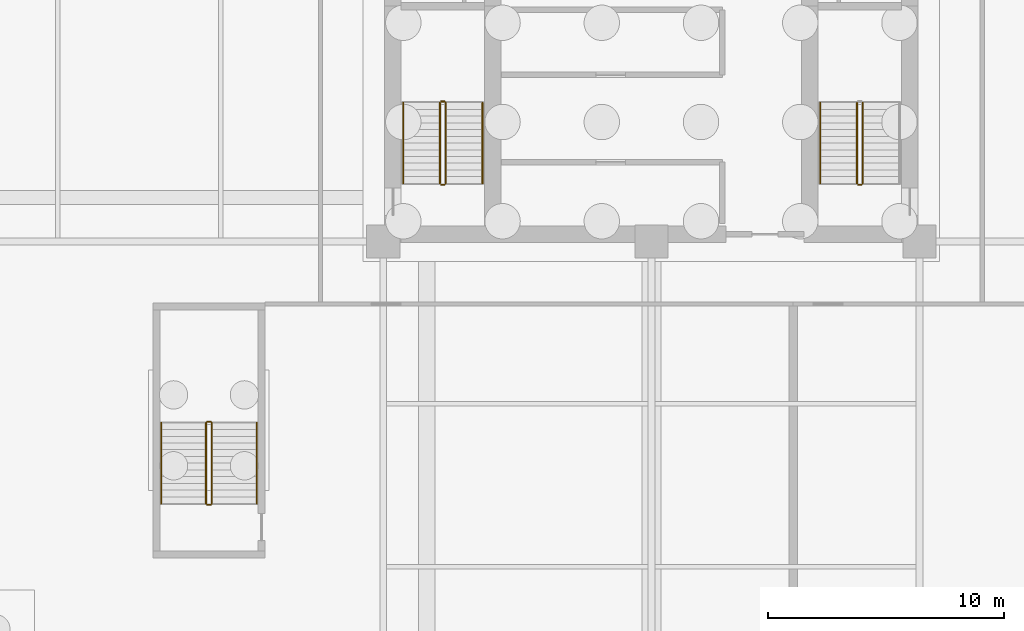
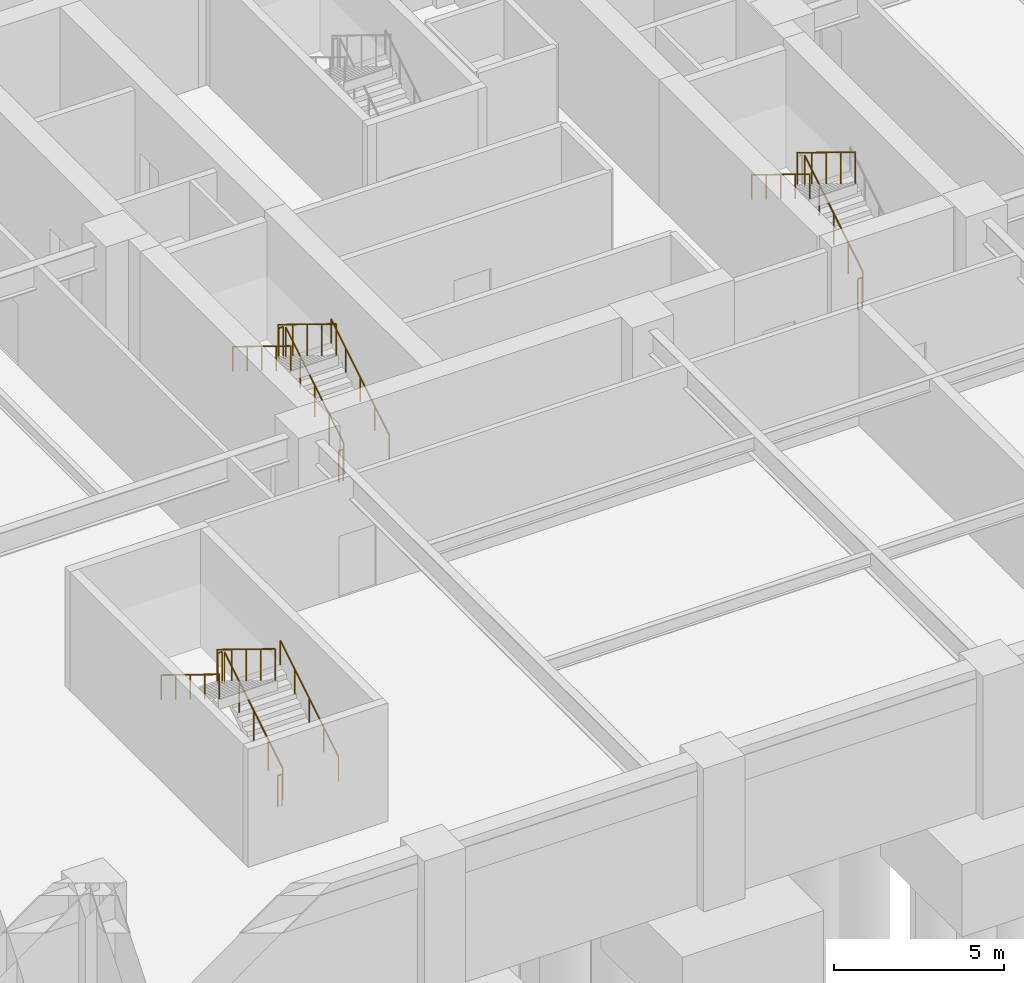
# One storey, part 6 of 8: 16 railings.
"""IFC4 building model written with IfcOpenShell, lengths in metres."""

from ifc_helpers import new_model, si_unit, direction, frame, origin, origin_2d, place, context, subcontext, project, spatial, circle, extrude, material, type_object, element, save


model = new_model("IFC4")

# Units and contexts
model_context = context("Model", 3, precision=1e-05, world=origin(), true_north=direction((0.0, 1.0)))
body_context = subcontext(model_context, "Body", "Model", "MODEL_VIEW")
ifc_project = project(units=[si_unit("LENGTHUNIT", "METRE"), si_unit("AREAUNIT", "SQUARE_METRE"), si_unit("VOLUMEUNIT", "CUBIC_METRE"), si_unit("PLANEANGLEUNIT", "RADIAN"), si_unit("MASSUNIT", "GRAM", prefix="KILO")], contexts=[model_context])

# Site, building, storey
site_placement = place(None, origin())
site = spatial("IfcSite", under=ifc_project, at=site_placement, CompositionType="ELEMENT")
building_placement = place(site_placement, origin())
building = spatial("IfcBuilding", under=site, at=building_placement, Name="Nhamokura Convention Tower", CompositionType="ELEMENT")
storey_placement = place(building_placement, frame((0.0, 0.0, -9.10009765625)))
storey = spatial("IfcBuildingStorey", under=building, at=storey_placement, Name="B02", CompositionType="ELEMENT", Elevation=-9.10009765625)

# Railings
ifc_material_1 = material(Name="Anodised bronze stainless steel", Category="steel")
railing_type_1 = type_object("IfcRailingType", Name="StairWallHandrail_900", PredefinedType="HANDRAIL", material=ifc_material_1)
railing_1_placement = place(storey_placement, frame((24.85009765625, 23.10009765625, 0.175048828125)))
element("IfcRailing", 1, at=railing_1_placement, inside=storey, type_object=railing_type_1, Name="B02 ST-01 stair handrail 1", PredefinedType="HANDRAIL", context=body_context, shape_type="SweptSolid", body=[
    extrude(circle(Radius=0.02392578125, at=origin_2d()), frame((0.0, 0.0, 0.8759765625), z_axis=(0.0, 0.852155044755, 0.523289384279), x_axis=(-1.0, 0.0, 0.0)), (0.0, 0.0, 1.0), 4.01318359375),
    extrude(circle(Radius=0.02099609375, at=origin_2d()), origin(), (0.0, 0.0, 1.0), 0.851806640625),
    extrude(circle(Radius=0.02099609375, at=origin_2d()), frame((0.0, 0.85498046875, 0.52490234375)), (0.0, 0.0, 1.0), 0.851806640625),
    extrude(circle(Radius=0.02099609375, at=origin_2d()), frame((0.0, 1.7099609375, 1.050048828125)), (0.0, 0.0, 1.0), 0.851806640625),
    extrude(circle(Radius=0.02099609375, at=origin_2d()), frame((0.0, 2.56494140625, 1.5751953125)), (0.0, 0.0, 1.0), 0.851806640625),
    extrude(circle(Radius=0.02099609375, at=origin_2d()), frame((0.0, 3.419921875, 2.10009765625)), (0.0, 0.0, 1.0), 0.851806640625),
])
for number, where, name in (
    (2, (21.5, 26.52001953125, 2.4501953125), "B02 ST-01 stair handrail 2"),
    (3, (39.14990234375, 26.52001953125, 2.4501953125), "B02 ST-02 stair handrail 2"),
):
    element("IfcRailing", number, at=place(storey_placement, frame(where)), inside=storey, type_object=railing_type_1, Name=name, PredefinedType="HANDRAIL", context=body_context, shape_type="SweptSolid", body=[
        extrude(circle(Radius=0.02392578125, at=origin_2d()), frame((0.0, 0.0, 0.8759765625), z_axis=(0.0, -0.852182171552, 0.523245206847), x_axis=(1.0, 0.0, 0.0)), (0.0, 0.0, 1.0), 4.01318359375),
        extrude(circle(Radius=0.02099609375, at=origin_2d()), origin(), (0.0, 0.0, 1.0), 0.851806640625),
        extrude(circle(Radius=0.02099609375, at=origin_2d()), frame((0.0, -0.85498046875, 0.52490234375)), (0.0, 0.0, 1.0), 0.851806640625),
        extrude(circle(Radius=0.02099609375, at=origin_2d()), frame((0.0, -1.7099609375, 1.0498046875)), (0.0, 0.0, 1.0), 0.851806640625),
        extrude(circle(Radius=0.02099609375, at=origin_2d()), frame((0.0, -2.56494140625, 1.574951171875)), (0.0, 0.0, 1.0), 0.851806640625),
        extrude(circle(Radius=0.02099609375, at=origin_2d()), frame((0.0, -3.419921875, 2.099853515625)), (0.0, 0.0, 1.0), 0.851806640625),
    ])
railing_2_placement = place(storey_placement, frame((15.300048828125, 9.550048828125, 0.175048828125)))
element("IfcRailing", 4, at=railing_2_placement, inside=storey, type_object=railing_type_1, Name="B02 ST-04 stair handrail 1", PredefinedType="HANDRAIL", context=body_context, shape_type="SweptSolid", body=[
    extrude(circle(Radius=0.02392578125, at=origin_2d()), frame((0.0, 0.0, 0.8759765625), z_axis=(0.0, 0.852155044755, 0.523289384279), x_axis=(-1.0, 0.0, 0.0)), (0.0, 0.0, 1.0), 4.01318359375),
    extrude(circle(Radius=0.02099609375, at=origin_2d()), origin(), (0.0, 0.0, 1.0), 0.851806640625),
    extrude(circle(Radius=0.02099609375, at=origin_2d()), frame((0.0, 0.85498046875, 0.52490234375)), (0.0, 0.0, 1.0), 0.851806640625),
    extrude(circle(Radius=0.02099609375, at=origin_2d()), frame((0.0, 1.7099609375, 1.050048828125)), (0.0, 0.0, 1.0), 0.851806640625),
    extrude(circle(Radius=0.02099609375, at=origin_2d()), frame((0.0, 2.56494140625, 1.5751953125)), (0.0, 0.0, 1.0), 0.851806640625),
    extrude(circle(Radius=0.02099609375, at=origin_2d()), frame((0.0, 3.419921875, 2.10009765625)), (0.0, 0.0, 1.0), 0.851806640625),
])
railing_3_placement = place(storey_placement, frame((11.25, 12.969970703125, 2.4501953125)))
element("IfcRailing", 5, at=railing_3_placement, inside=storey, type_object=railing_type_1, Name="B02 ST-04 stair handrail 2", PredefinedType="HANDRAIL", context=body_context, shape_type="SweptSolid", body=[
    extrude(circle(Radius=0.02392578125, at=origin_2d()), frame((0.0, 0.0, 0.8759765625), z_axis=(0.0, -0.852182171552, 0.523245206847), x_axis=(1.0, 0.0, 0.0)), (0.0, 0.0, 1.0), 4.01318359375),
    extrude(circle(Radius=0.02099609375, at=origin_2d()), origin(), (0.0, 0.0, 1.0), 0.851806640625),
    extrude(circle(Radius=0.02099609375, at=origin_2d()), frame((0.0, -0.85498046875, 0.52490234375)), (0.0, 0.0, 1.0), 0.851806640625),
    extrude(circle(Radius=0.02099609375, at=origin_2d()), frame((0.0, -1.7099609375, 1.0498046875)), (0.0, 0.0, 1.0), 0.851806640625),
    extrude(circle(Radius=0.02099609375, at=origin_2d()), frame((0.0, -2.56494140625, 1.574951171875)), (0.0, 0.0, 1.0), 0.851806640625),
    extrude(circle(Radius=0.02099609375, at=origin_2d()), frame((0.0, -3.419921875, 2.099853515625)), (0.0, 0.0, 1.0), 0.851806640625),
])
ifc_material_2 = material(Name="Painted tubular steel", Category="steel")
railing_type_2 = type_object("IfcRailingType", Name="StairWellGuardrail_1150", PredefinedType="GUARDRAIL", material=ifc_material_2)
railing_4_placement = place(storey_placement, frame((23.300048828125, 23.10009765625, 0.175048828125)))
element("IfcRailing", 6, at=railing_4_placement, inside=storey, type_object=railing_type_2, Name="B02 ST-01 stair guard 1", PredefinedType="GUARDRAIL", context=body_context, shape_type="SweptSolid", body=[
    extrude(circle(Radius=0.02392578125, at=origin_2d()), frame((0.0, 0.0, 1.1259765625), z_axis=(0.0, 0.852155044755, 0.523289384279), x_axis=(-1.0, 0.0, 0.0)), (0.0, 0.0, 1.0), 4.01318359375),
    extrude(circle(Radius=0.02099609375, at=origin_2d()), origin(), (0.0, 0.0, 1.0), 1.101806640625),
    extrude(circle(Radius=0.02099609375, at=origin_2d()), frame((0.0, 0.85498046875, 0.52490234375)), (0.0, 0.0, 1.0), 1.101806640625),
    extrude(circle(Radius=0.02099609375, at=origin_2d()), frame((0.0, 1.7099609375, 1.050048828125)), (0.0, 0.0, 1.0), 1.101806640625),
    extrude(circle(Radius=0.02099609375, at=origin_2d()), frame((0.0, 2.56494140625, 1.5751953125)), (0.0, 0.0, 1.0), 1.101806640625),
    extrude(circle(Radius=0.02099609375, at=origin_2d()), frame((0.0, 3.419921875, 2.10009765625)), (0.0, 0.0, 1.0), 1.101806640625),
])
railing_5_placement = place(storey_placement, frame((23.25, 26.570068359375, 2.275146484375)))
element("IfcRailing", 7, at=railing_5_placement, inside=storey, type_object=railing_type_2, Name="B02 ST-01 stair guard 2", PredefinedType="GUARDRAIL", context=body_context, shape_type="SweptSolid", body=[
    extrude(circle(Radius=0.02392578125, at=origin_2d()), frame((0.0, 0.0, 1.1259765625), z_axis=(-1.0, 0.0, 0.0), x_axis=(0.0, -1.0, 0.0)), (0.0, 0.0, 1.0), 0.14990234375),
    extrude(circle(Radius=0.02099609375, at=origin_2d()), origin(), (0.0, 0.0, 1.0), 1.101806640625),
    extrude(circle(Radius=0.02099609375, at=origin_2d()), frame((-0.14990234375, 0.0, 0.0)), (0.0, 0.0, 1.0), 1.101806640625),
])
railing_6_placement = place(storey_placement, frame((23.050048828125, 26.52001953125, 2.4501953125)))
element("IfcRailing", 8, at=railing_6_placement, inside=storey, type_object=railing_type_2, Name="B02 ST-01 stair guard 3", PredefinedType="GUARDRAIL", context=body_context, shape_type="SweptSolid", body=[
    extrude(circle(Radius=0.02392578125, at=origin_2d()), frame((0.0, 0.0, 1.1259765625), z_axis=(0.0, -0.852182171552, 0.523245206847), x_axis=(1.0, 0.0, 0.0)), (0.0, 0.0, 1.0), 4.01318359375),
    extrude(circle(Radius=0.02099609375, at=origin_2d()), origin(), (0.0, 0.0, 1.0), 1.101806640625),
    extrude(circle(Radius=0.02099609375, at=origin_2d()), frame((0.0, -0.85498046875, 0.52490234375)), (0.0, 0.0, 1.0), 1.101806640625),
    extrude(circle(Radius=0.02099609375, at=origin_2d()), frame((0.0, -1.7099609375, 1.0498046875)), (0.0, 0.0, 1.0), 1.101806640625),
    extrude(circle(Radius=0.02099609375, at=origin_2d()), frame((0.0, -2.56494140625, 1.574951171875)), (0.0, 0.0, 1.0), 1.101806640625),
    extrude(circle(Radius=0.02099609375, at=origin_2d()), frame((0.0, -3.419921875, 2.099853515625)), (0.0, 0.0, 1.0), 1.101806640625),
])
railing_7_placement = place(storey_placement, frame((23.25, 23.050048828125, 0.0)))
element("IfcRailing", 9, at=railing_7_placement, inside=storey, type_object=railing_type_2, Name="B02 ST-01 stair guard 4", PredefinedType="GUARDRAIL", context=body_context, shape_type="SweptSolid", body=[
    extrude(circle(Radius=0.02392578125, at=origin_2d()), frame((0.0, 0.0, 1.1259765625), z_axis=(-1.0, 0.0, 0.0), x_axis=(0.0, -1.0, 0.0)), (0.0, 0.0, 1.0), 0.14990234375),
    extrude(circle(Radius=0.02099609375, at=origin_2d()), origin(), (0.0, 0.0, 1.0), 1.101806640625),
    extrude(circle(Radius=0.02099609375, at=origin_2d()), frame((-0.14990234375, 0.0, 0.0)), (0.0, 0.0, 1.0), 1.101806640625),
])
railing_8_placement = place(storey_placement, frame((40.949951171875, 23.10009765625, 0.175048828125)))
element("IfcRailing", 10, at=railing_8_placement, inside=storey, type_object=railing_type_2, Name="B02 ST-02 stair guard 1", PredefinedType="GUARDRAIL", context=body_context, shape_type="SweptSolid", body=[
    extrude(circle(Radius=0.02392578125, at=origin_2d()), frame((0.0, 0.0, 1.1259765625), z_axis=(0.0, 0.852155044755, 0.523289384279), x_axis=(-1.0, 0.0, 0.0)), (0.0, 0.0, 1.0), 4.01318359375),
    extrude(circle(Radius=0.02099609375, at=origin_2d()), origin(), (0.0, 0.0, 1.0), 1.101806640625),
    extrude(circle(Radius=0.02099609375, at=origin_2d()), frame((0.0, 0.85498046875, 0.52490234375)), (0.0, 0.0, 1.0), 1.101806640625),
    extrude(circle(Radius=0.02099609375, at=origin_2d()), frame((0.0, 1.7099609375, 1.050048828125)), (0.0, 0.0, 1.0), 1.101806640625),
    extrude(circle(Radius=0.02099609375, at=origin_2d()), frame((0.0, 2.56494140625, 1.5751953125)), (0.0, 0.0, 1.0), 1.101806640625),
    extrude(circle(Radius=0.02099609375, at=origin_2d()), frame((0.0, 3.419921875, 2.10009765625)), (0.0, 0.0, 1.0), 1.101806640625),
])
railing_9_placement = place(storey_placement, frame((40.699951171875, 26.52001953125, 2.4501953125)))
element("IfcRailing", 11, at=railing_9_placement, inside=storey, type_object=railing_type_2, Name="B02 ST-02 stair guard 3", PredefinedType="GUARDRAIL", context=body_context, shape_type="SweptSolid", body=[
    extrude(circle(Radius=0.02392578125, at=origin_2d()), frame((0.0, 0.0, 1.1259765625), z_axis=(0.0, -0.852182171552, 0.523245206847), x_axis=(1.0, 0.0, 0.0)), (0.0, 0.0, 1.0), 4.01318359375),
    extrude(circle(Radius=0.02099609375, at=origin_2d()), origin(), (0.0, 0.0, 1.0), 1.101806640625),
    extrude(circle(Radius=0.02099609375, at=origin_2d()), frame((0.0, -0.85498046875, 0.52490234375)), (0.0, 0.0, 1.0), 1.101806640625),
    extrude(circle(Radius=0.02099609375, at=origin_2d()), frame((0.0, -1.7099609375, 1.0498046875)), (0.0, 0.0, 1.0), 1.101806640625),
    extrude(circle(Radius=0.02099609375, at=origin_2d()), frame((0.0, -2.56494140625, 1.574951171875)), (0.0, 0.0, 1.0), 1.101806640625),
    extrude(circle(Radius=0.02099609375, at=origin_2d()), frame((0.0, -3.419921875, 2.099853515625)), (0.0, 0.0, 1.0), 1.101806640625),
])
railing_10_placement = place(storey_placement, frame((40.89990234375, 23.050048828125, 0.0)))
element("IfcRailing", 12, at=railing_10_placement, inside=storey, type_object=railing_type_2, Name="B02 ST-02 stair guard 4", PredefinedType="GUARDRAIL", context=body_context, shape_type="SweptSolid", body=[
    extrude(circle(Radius=0.02392578125, at=origin_2d()), frame((0.0, 0.0, 1.1259765625), z_axis=(-1.0, 0.0, 0.0), x_axis=(0.0, -1.0, 0.0)), (0.0, 0.0, 1.0), 0.14990234375),
    extrude(circle(Radius=0.02099609375, at=origin_2d()), origin(), (0.0, 0.0, 1.0), 1.101806640625),
    extrude(circle(Radius=0.02099609375, at=origin_2d()), frame((-0.14990234375, 0.0, 0.0)), (0.0, 0.0, 1.0), 1.101806640625),
])
railing_11_placement = place(storey_placement, frame((13.39990234375, 9.550048828125, 0.175048828125)))
element("IfcRailing", 13, at=railing_11_placement, inside=storey, type_object=railing_type_2, Name="B02 ST-04 stair guard 1", PredefinedType="GUARDRAIL", context=body_context, shape_type="SweptSolid", body=[
    extrude(circle(Radius=0.02392578125, at=origin_2d()), frame((0.0, 0.0, 1.1259765625), z_axis=(0.0, 0.852155044755, 0.523289384279), x_axis=(-1.0, 0.0, 0.0)), (0.0, 0.0, 1.0), 4.01318359375),
    extrude(circle(Radius=0.02099609375, at=origin_2d()), origin(), (0.0, 0.0, 1.0), 1.101806640625),
    extrude(circle(Radius=0.02099609375, at=origin_2d()), frame((0.0, 0.85498046875, 0.52490234375)), (0.0, 0.0, 1.0), 1.101806640625),
    extrude(circle(Radius=0.02099609375, at=origin_2d()), frame((0.0, 1.7099609375, 1.050048828125)), (0.0, 0.0, 1.0), 1.101806640625),
    extrude(circle(Radius=0.02099609375, at=origin_2d()), frame((0.0, 2.56494140625, 1.5751953125)), (0.0, 0.0, 1.0), 1.101806640625),
    extrude(circle(Radius=0.02099609375, at=origin_2d()), frame((0.0, 3.419921875, 2.10009765625)), (0.0, 0.0, 1.0), 1.101806640625),
])
railing_12_placement = place(storey_placement, frame((13.35009765625, 13.02001953125, 2.275146484375)))
element("IfcRailing", 14, at=railing_12_placement, inside=storey, type_object=railing_type_2, Name="B02 ST-04 stair guard 2", PredefinedType="GUARDRAIL", context=body_context, shape_type="SweptSolid", body=[
    extrude(circle(Radius=0.02392578125, at=origin_2d()), frame((0.0, 0.0, 1.1259765625), z_axis=(-1.0, 0.0, 0.0), x_axis=(0.0, -1.0, 0.0)), (0.0, 0.0, 1.0), 0.150146484375),
    extrude(circle(Radius=0.02099609375, at=origin_2d()), origin(), (0.0, 0.0, 1.0), 1.101806640625),
    extrude(circle(Radius=0.02099609375, at=origin_2d()), frame((-0.150146484375, 0.0, 0.0)), (0.0, 0.0, 1.0), 1.101806640625),
])
railing_13_placement = place(storey_placement, frame((13.14990234375, 12.969970703125, 2.4501953125)))
element("IfcRailing", 15, at=railing_13_placement, inside=storey, type_object=railing_type_2, Name="B02 ST-04 stair guard 3", PredefinedType="GUARDRAIL", context=body_context, shape_type="SweptSolid", body=[
    extrude(circle(Radius=0.02392578125, at=origin_2d()), frame((0.0, 0.0, 1.1259765625), z_axis=(0.0, -0.852182171552, 0.523245206847), x_axis=(1.0, 0.0, 0.0)), (0.0, 0.0, 1.0), 4.01318359375),
    extrude(circle(Radius=0.02099609375, at=origin_2d()), origin(), (0.0, 0.0, 1.0), 1.101806640625),
    extrude(circle(Radius=0.02099609375, at=origin_2d()), frame((0.0, -0.85498046875, 0.52490234375)), (0.0, 0.0, 1.0), 1.101806640625),
    extrude(circle(Radius=0.02099609375, at=origin_2d()), frame((0.0, -1.7099609375, 1.0498046875)), (0.0, 0.0, 1.0), 1.101806640625),
    extrude(circle(Radius=0.02099609375, at=origin_2d()), frame((0.0, -2.56494140625, 1.574951171875)), (0.0, 0.0, 1.0), 1.101806640625),
    extrude(circle(Radius=0.02099609375, at=origin_2d()), frame((0.0, -3.419921875, 2.099853515625)), (0.0, 0.0, 1.0), 1.101806640625),
])
railing_14_placement = place(storey_placement, frame((13.35009765625, 9.5, 0.0)))
element("IfcRailing", 16, at=railing_14_placement, inside=storey, type_object=railing_type_2, Name="B02 ST-04 stair guard 4", PredefinedType="GUARDRAIL", context=body_context, shape_type="SweptSolid", body=[
    extrude(circle(Radius=0.02392578125, at=origin_2d()), frame((0.0, 0.0, 1.1259765625), z_axis=(-1.0, 0.0, 0.0), x_axis=(0.0, -1.0, 0.0)), (0.0, 0.0, 1.0), 0.150146484375),
    extrude(circle(Radius=0.02099609375, at=origin_2d()), origin(), (0.0, 0.0, 1.0), 1.101806640625),
    extrude(circle(Radius=0.02099609375, at=origin_2d()), frame((-0.150146484375, 0.0, 0.0)), (0.0, 0.0, 1.0), 1.101806640625),
])

save(model, "model.ifc")
